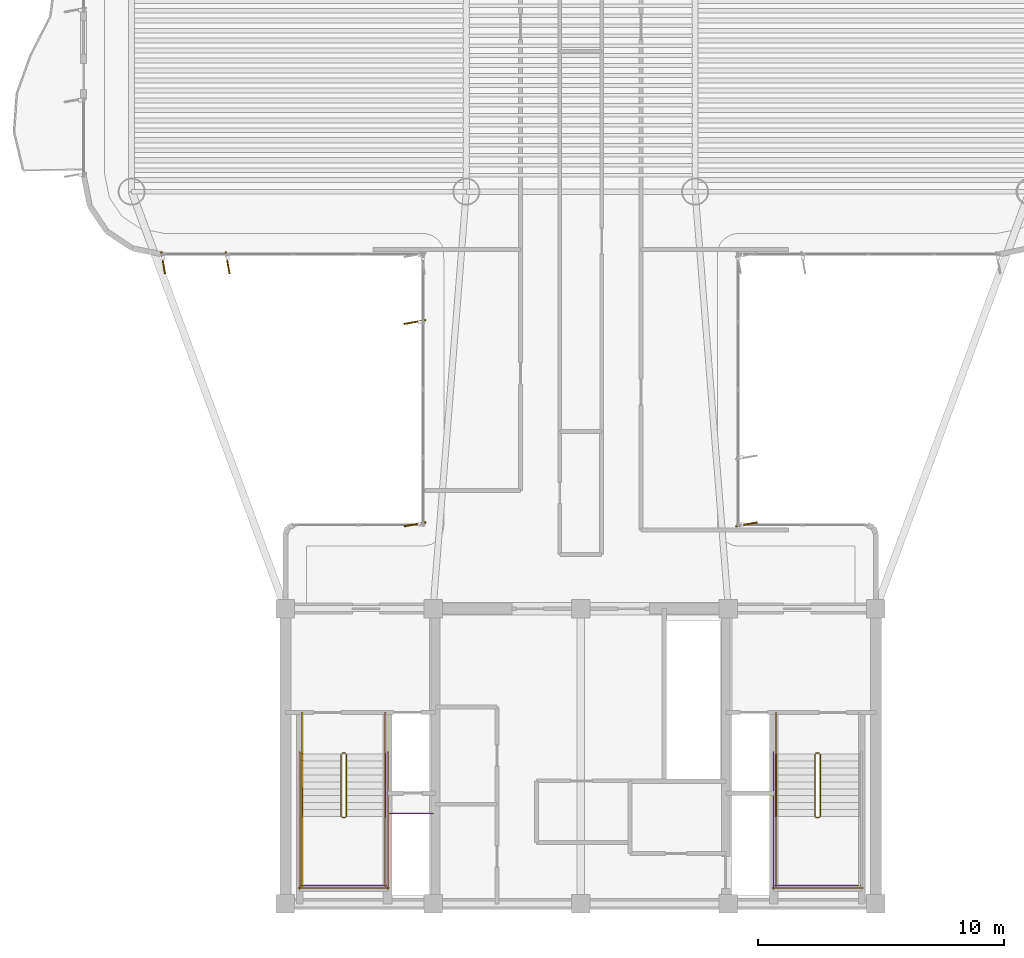
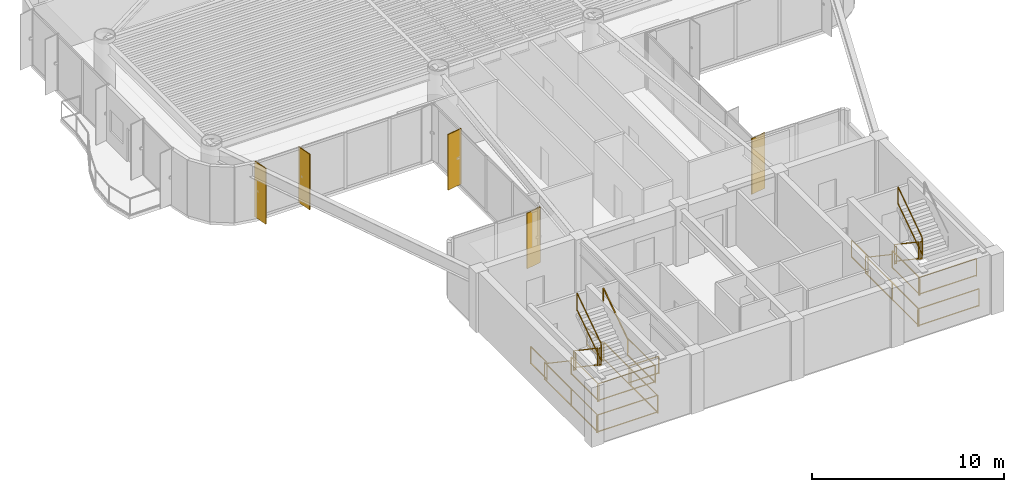
# One storey, part 12 of 13: 25 railings, 5 shading devices.
"""IFC4 building model written with IfcOpenShell, lengths in metres."""

from ifc_helpers import new_model, si_unit, direction, frame, origin, origin_2d, place, context, subcontext, project, spatial, rectangle, extrude, source, transform, mapped, material, layer, layer_set, material_profile, profile_set, type_object, element, save


model = new_model("IFC4")

# Units and contexts
model_context = context("Model", 3, precision=1e-05, world=origin(), true_north=direction((0.0, 1.0)))
body_context = subcontext(model_context, "Body", "Model", "MODEL_VIEW")
ifc_project = project(units=[si_unit("LENGTHUNIT", "METRE"), si_unit("AREAUNIT", "SQUARE_METRE"), si_unit("VOLUMEUNIT", "CUBIC_METRE"), si_unit("PLANEANGLEUNIT", "RADIAN"), si_unit("MASSUNIT", "GRAM", prefix="KILO")], contexts=[model_context])

# Site, building, storey
site_placement = place(None, origin())
site = spatial("IfcSite", under=ifc_project, at=site_placement, CompositionType="ELEMENT")
building_placement = place(site_placement, origin())
building = spatial("IfcBuilding", under=site, at=building_placement, Name="Brelvock Crest Care Tower", CompositionType="ELEMENT")
storey_placement = place(building_placement, frame((0.0, 0.0, 186.659912109375)))
storey = spatial("IfcBuildingStorey", under=building, at=storey_placement, Name="L47", CompositionType="ELEMENT", Elevation=186.659912109375)

# Railings
ifc_material_1 = material(Name="Steel Grade 350", Category="steel")
ifc_layer_1 = layer(ifc_material_1, 0.050048828125, Name="RL-STG1")
ifc_layer_set_1 = layer_set([ifc_layer_1], Name="Steel Grade 350")
railing_type_1 = type_object("IfcRailingType", Name="RL-STG1", PredefinedType="GUARDRAIL", material=ifc_layer_set_1)
railing_1_placement = place(storey_placement, frame((26.260009765625, 12.080078125, 0.189208984375)))
element("IfcRailing", 1, at=railing_1_placement, inside=storey, type_object=railing_type_1, Name="L47 ST-1 stair guard 1", PredefinedType="GUARDRAIL", context=body_context, shape_type="SweptSolid", body=[
    extrude(rectangle(XDim=0.048095703125, YDim=0.048095703125, at=origin_2d()), frame((0.0, -0.001708984375, 1.116943359375), z_axis=(0.0, -0.828861706735, 0.559453546873), x_axis=(1.0, 0.0, 0.0)), (0.0, 0.0, 1.0), 3.036376953125),
    extrude(rectangle(XDim=0.048095703125, YDim=0.048095703125, at=origin_2d()), frame((0.0, -0.001708984375, 0.05615234375), z_axis=(0.0, -0.828861706735, 0.559453546873), x_axis=(1.0, 0.0, 0.0)), (0.0, 0.0, 1.0), 3.036376953125),
    extrude(rectangle(XDim=0.0419921875, YDim=0.0419921875, at=origin_2d()), origin(), (0.0, 0.0, 1.0), 1.08984375),
    extrude(rectangle(XDim=0.0419921875, YDim=0.0419921875, at=origin_2d()), frame((0.0, -2.52001953125, 1.700927734375)), (0.0, 0.0, 1.0), 1.08984375),
])
railing_2_placement = place(storey_placement, frame((26.31005859375, 9.510009765625, 1.89013671875)))
element("IfcRailing", 2, at=railing_2_placement, inside=storey, type_object=railing_type_1, Name="L47 ST-1 stair guard 2", PredefinedType="GUARDRAIL", context=body_context, shape_type="SweptSolid", body=[
    extrude(rectangle(XDim=0.048095703125, YDim=0.048095703125, at=origin_2d()), frame((0.001953125, 0.0, 1.11572265625), z_axis=(1.0, 0.0, 0.0), x_axis=(0.0, 1.0, 0.0)), (0.0, 0.0, 1.0), 0.115966796875),
    extrude(rectangle(XDim=0.048095703125, YDim=0.048095703125, at=origin_2d()), frame((0.001953125, 0.0, 0.054931640625), z_axis=(1.0, 0.0, 0.0), x_axis=(0.0, 1.0, 0.0)), (0.0, 0.0, 1.0), 0.115966796875),
    extrude(rectangle(XDim=0.0419921875, YDim=0.0419921875, at=origin_2d()), origin(), (0.0, 0.0, 1.0), 1.08984375),
    extrude(rectangle(XDim=0.0419921875, YDim=0.0419921875, at=origin_2d()), frame((0.119873046875, 0.0, 0.0)), (0.0, 0.0, 1.0), 1.08984375),
])
for number, where, name in (
    (3, (24.679931640625, 9.56005859375, 1.89013671875), "L47 ST-1 stair guard 3"),
    (4, (28.06005859375, 9.56005859375, 1.89013671875), "L47 ST-1 stair guard 4"),
):
    element("IfcRailing", number, at=place(storey_placement, frame(where)), inside=storey, type_object=railing_type_1, Name=name, PredefinedType="GUARDRAIL", context=body_context, shape_type="SweptSolid", body=[
        extrude(rectangle(XDim=0.048095703125, YDim=0.048095703125, at=origin_2d()), frame((0.0, -0.001953125, 1.11572265625), z_axis=(0.0, -1.0, 0.0), x_axis=(1.0, 0.0, 0.0)), (0.0, 0.0, 1.0), 2.856201171875),
        extrude(rectangle(XDim=0.048095703125, YDim=0.048095703125, at=origin_2d()), frame((0.0, -0.001953125, 0.054931640625), z_axis=(0.0, -1.0, 0.0), x_axis=(1.0, 0.0, 0.0)), (0.0, 0.0, 1.0), 2.856201171875),
        extrude(rectangle(XDim=0.0419921875, YDim=0.0419921875, at=origin_2d()), origin(), (0.0, 0.0, 1.0), 1.08984375),
        extrude(rectangle(XDim=0.0419921875, YDim=0.0419921875, at=origin_2d()), frame((0.0, -2.860107421875, 0.0)), (0.0, 0.0, 1.0), 1.08984375),
    ])
railing_3_placement = place(storey_placement, frame((24.6298828125, 6.75, 1.89013671875)))
element("IfcRailing", 5, at=railing_3_placement, inside=storey, type_object=railing_type_1, Name="L47 ST-1 stair guard 5", PredefinedType="GUARDRAIL", context=body_context, shape_type="SweptSolid", body=[
    extrude(rectangle(XDim=0.048095703125, YDim=0.048095703125, at=origin_2d()), frame((0.001953125, 0.0, 1.11572265625), z_axis=(1.0, 0.0, 0.0), x_axis=(0.0, 1.0, 0.0)), (0.0, 0.0, 1.0), 3.476318359375),
    extrude(rectangle(XDim=0.048095703125, YDim=0.048095703125, at=origin_2d()), frame((0.001953125, 0.0, 0.054931640625), z_axis=(1.0, 0.0, 0.0), x_axis=(0.0, 1.0, 0.0)), (0.0, 0.0, 1.0), 3.476318359375),
    extrude(rectangle(XDim=0.0419921875, YDim=0.0419921875, at=origin_2d()), origin(), (0.0, 0.0, 1.0), 1.08984375),
    extrude(rectangle(XDim=0.0419921875, YDim=0.0419921875, at=origin_2d()), frame((3.480224609375, 0.0, 0.0)), (0.0, 0.0, 1.0), 1.08984375),
])
railing_4_placement = place(storey_placement, frame((26.47998046875, 9.56005859375, 2.0791015625)))
element("IfcRailing", 6, at=railing_4_placement, inside=storey, type_object=railing_type_1, Name="L47 ST-1 stair guard 6", PredefinedType="GUARDRAIL", context=body_context, shape_type="SweptSolid", body=[
    extrude(rectangle(XDim=0.048095703125, YDim=0.048095703125, at=origin_2d()), frame((0.0, 0.001708984375, 1.116943359375), z_axis=(0.0, 0.828861706735, 0.559453546873), x_axis=(-1.0, 0.0, 0.0)), (0.0, 0.0, 1.0), 3.036376953125),
    extrude(rectangle(XDim=0.048095703125, YDim=0.048095703125, at=origin_2d()), frame((0.0, 0.001708984375, 0.05615234375), z_axis=(0.0, 0.828861706735, 0.559453546873), x_axis=(-1.0, 0.0, 0.0)), (0.0, 0.0, 1.0), 3.036376953125),
    extrude(rectangle(XDim=0.0419921875, YDim=0.0419921875, at=origin_2d()), origin(), (0.0, 0.0, 1.0), 1.08984375),
    extrude(rectangle(XDim=0.0419921875, YDim=0.0419921875, at=origin_2d()), frame((0.0, 2.52001953125, 1.700927734375)), (0.0, 0.0, 1.0), 1.08984375),
])
railing_5_placement = place(storey_placement, frame((26.31005859375, 12.1298828125, 0.0)))
element("IfcRailing", 7, at=railing_5_placement, inside=storey, type_object=railing_type_1, Name="L47 ST-1 stair guard 7", PredefinedType="GUARDRAIL", context=body_context, shape_type="SweptSolid", body=[
    extrude(rectangle(XDim=0.048095703125, YDim=0.048095703125, at=origin_2d()), frame((0.001953125, 0.0, 1.11572265625), z_axis=(1.0, 0.0, 0.0), x_axis=(0.0, 1.0, 0.0)), (0.0, 0.0, 1.0), 0.115966796875),
    extrude(rectangle(XDim=0.048095703125, YDim=0.048095703125, at=origin_2d()), frame((0.001953125, 0.0, 0.054931640625), z_axis=(1.0, 0.0, 0.0), x_axis=(0.0, 1.0, 0.0)), (0.0, 0.0, 1.0), 0.115966796875),
    extrude(rectangle(XDim=0.0419921875, YDim=0.0419921875, at=origin_2d()), origin(), (0.0, 0.0, 1.0), 1.08984375),
    extrude(rectangle(XDim=0.0419921875, YDim=0.0419921875, at=origin_2d()), frame((0.119873046875, 0.0, 0.0)), (0.0, 0.0, 1.0), 1.08984375),
])
for number, where, name in (
    (8, (24.679931640625, 13.780029296875, 0.0), "L47 ST-1 stair guard 8"),
    (9, (28.06005859375, 13.780029296875, 0.0), "L47 ST-1 stair guard 9"),
):
    element("IfcRailing", number, at=place(storey_placement, frame(where)), inside=storey, type_object=railing_type_1, Name=name, PredefinedType="GUARDRAIL", context=body_context, shape_type="SweptSolid", body=[
        extrude(rectangle(XDim=0.048095703125, YDim=0.048095703125, at=origin_2d()), frame((0.0, -0.001953125, 1.11572265625), z_axis=(0.0, -1.0, 0.0), x_axis=(1.0, 0.0, 0.0)), (0.0, 0.0, 1.0), 1.696044921875),
        extrude(rectangle(XDim=0.048095703125, YDim=0.048095703125, at=origin_2d()), frame((0.0, -0.001953125, 0.054931640625), z_axis=(0.0, -1.0, 0.0), x_axis=(1.0, 0.0, 0.0)), (0.0, 0.0, 1.0), 1.696044921875),
        extrude(rectangle(XDim=0.0419921875, YDim=0.0419921875, at=origin_2d()), origin(), (0.0, 0.0, 1.0), 1.08984375),
        extrude(rectangle(XDim=0.0419921875, YDim=0.0419921875, at=origin_2d()), frame((0.0, -1.699951171875, 0.0)), (0.0, 0.0, 1.0), 1.08984375),
    ])
for number, where, name in (
    (10, (24.580078125, 12.179931640625, 0.0), "L47 ST-1 stair guard 10"),
    (11, (28.159912109375, 12.179931640625, 0.0), "L47 ST-1 stair guard 11"),
):
    element("IfcRailing", number, at=place(storey_placement, frame(where)), inside=storey, type_object=railing_type_1, Name=name, PredefinedType="GUARDRAIL", context=body_context, shape_type="SweptSolid", body=[
        extrude(rectangle(XDim=0.048095703125, YDim=0.048095703125, at=origin_2d()), frame((0.0, -0.001953125, 1.11572265625), z_axis=(0.0, -1.0, 0.0), x_axis=(1.0, 0.0, 0.0)), (0.0, 0.0, 1.0), 5.575927734375),
        extrude(rectangle(XDim=0.048095703125, YDim=0.048095703125, at=origin_2d()), frame((0.0, -0.001953125, 0.054931640625), z_axis=(0.0, -1.0, 0.0), x_axis=(1.0, 0.0, 0.0)), (0.0, 0.0, 1.0), 5.575927734375),
        extrude(rectangle(XDim=0.0419921875, YDim=0.0419921875, at=origin_2d()), origin(), (0.0, 0.0, 1.0), 1.08984375),
        extrude(rectangle(XDim=0.0419921875, YDim=0.0419921875, at=origin_2d()), frame((0.0, -2.7900390625, 0.0)), (0.0, 0.0, 1.0), 1.08984375),
        extrude(rectangle(XDim=0.0419921875, YDim=0.0419921875, at=origin_2d()), frame((0.0, -5.579833984375, 0.0)), (0.0, 0.0, 1.0), 1.08984375),
    ])
railing_6_placement = place(storey_placement, frame((24.530029296875, 6.64990234375, 0.0)))
element("IfcRailing", 12, at=railing_6_placement, inside=storey, type_object=railing_type_1, Name="L47 ST-1 stair guard 12", PredefinedType="GUARDRAIL", context=body_context, shape_type="SweptSolid", body=[
    extrude(rectangle(XDim=0.048095703125, YDim=0.048095703125, at=origin_2d()), frame((0.001953125, 0.0, 1.11572265625), z_axis=(1.0, 0.0, 0.0), x_axis=(0.0, 1.0, 0.0)), (0.0, 0.0, 1.0), 3.676025390625),
    extrude(rectangle(XDim=0.048095703125, YDim=0.048095703125, at=origin_2d()), frame((0.001953125, 0.0, 0.054931640625), z_axis=(1.0, 0.0, 0.0), x_axis=(0.0, 1.0, 0.0)), (0.0, 0.0, 1.0), 3.676025390625),
    extrude(rectangle(XDim=0.0419921875, YDim=0.0419921875, at=origin_2d()), origin(), (0.0, 0.0, 1.0), 1.08984375),
    extrude(rectangle(XDim=0.0419921875, YDim=0.0419921875, at=origin_2d()), frame((3.679931640625, 0.0, 0.0)), (0.0, 0.0, 1.0), 1.08984375),
])
railing_7_placement = place(storey_placement, frame((45.52001953125, 12.080078125, 0.189208984375)))
element("IfcRailing", 13, at=railing_7_placement, inside=storey, type_object=railing_type_1, Name="L47 ST-2 stair guard 1", PredefinedType="GUARDRAIL", context=body_context, shape_type="SweptSolid", body=[
    extrude(rectangle(XDim=0.048095703125, YDim=0.048095703125, at=origin_2d()), frame((0.0, -0.001708984375, 1.116943359375), z_axis=(0.0, -0.828861706735, 0.559453546873), x_axis=(1.0, 0.0, 0.0)), (0.0, 0.0, 1.0), 3.036376953125),
    extrude(rectangle(XDim=0.048095703125, YDim=0.048095703125, at=origin_2d()), frame((0.0, -0.001708984375, 0.05615234375), z_axis=(0.0, -0.828861706735, 0.559453546873), x_axis=(1.0, 0.0, 0.0)), (0.0, 0.0, 1.0), 3.036376953125),
    extrude(rectangle(XDim=0.0419921875, YDim=0.0419921875, at=origin_2d()), origin(), (0.0, 0.0, 1.0), 1.08984375),
    extrude(rectangle(XDim=0.0419921875, YDim=0.0419921875, at=origin_2d()), frame((0.0, -2.52001953125, 1.700927734375)), (0.0, 0.0, 1.0), 1.08984375),
])
railing_8_placement = place(storey_placement, frame((45.570068359375, 9.510009765625, 1.89013671875)))
element("IfcRailing", 14, at=railing_8_placement, inside=storey, type_object=railing_type_1, Name="L47 ST-2 stair guard 2", PredefinedType="GUARDRAIL", context=body_context, shape_type="SweptSolid", body=[
    extrude(rectangle(XDim=0.048095703125, YDim=0.048095703125, at=origin_2d()), frame((0.001953125, 0.0, 1.11572265625), z_axis=(1.0, 0.0, 0.0), x_axis=(0.0, 1.0, 0.0)), (0.0, 0.0, 1.0), 0.115966796875),
    extrude(rectangle(XDim=0.048095703125, YDim=0.048095703125, at=origin_2d()), frame((0.001953125, 0.0, 0.054931640625), z_axis=(1.0, 0.0, 0.0), x_axis=(0.0, 1.0, 0.0)), (0.0, 0.0, 1.0), 0.115966796875),
    extrude(rectangle(XDim=0.0419921875, YDim=0.0419921875, at=origin_2d()), origin(), (0.0, 0.0, 1.0), 1.08984375),
    extrude(rectangle(XDim=0.0419921875, YDim=0.0419921875, at=origin_2d()), frame((0.119873046875, 0.0, 0.0)), (0.0, 0.0, 1.0), 1.08984375),
])
railing_9_placement = place(storey_placement, frame((43.93994140625, 9.56005859375, 1.89013671875)))
element("IfcRailing", 15, at=railing_9_placement, inside=storey, type_object=railing_type_1, Name="L47 ST-2 stair guard 3", PredefinedType="GUARDRAIL", context=body_context, shape_type="SweptSolid", body=[
    extrude(rectangle(XDim=0.048095703125, YDim=0.048095703125, at=origin_2d()), frame((0.0, -0.001953125, 1.11572265625), z_axis=(0.0, -1.0, 0.0), x_axis=(1.0, 0.0, 0.0)), (0.0, 0.0, 1.0), 2.856201171875),
    extrude(rectangle(XDim=0.048095703125, YDim=0.048095703125, at=origin_2d()), frame((0.0, -0.001953125, 0.054931640625), z_axis=(0.0, -1.0, 0.0), x_axis=(1.0, 0.0, 0.0)), (0.0, 0.0, 1.0), 2.856201171875),
    extrude(rectangle(XDim=0.0419921875, YDim=0.0419921875, at=origin_2d()), origin(), (0.0, 0.0, 1.0), 1.08984375),
    extrude(rectangle(XDim=0.0419921875, YDim=0.0419921875, at=origin_2d()), frame((0.0, -2.860107421875, 0.0)), (0.0, 0.0, 1.0), 1.08984375),
])
railing_10_placement = place(storey_placement, frame((43.889892578125, 6.75, 1.89013671875)))
element("IfcRailing", 16, at=railing_10_placement, inside=storey, type_object=railing_type_1, Name="L47 ST-2 stair guard 5", PredefinedType="GUARDRAIL", context=body_context, shape_type="SweptSolid", body=[
    extrude(rectangle(XDim=0.048095703125, YDim=0.048095703125, at=origin_2d()), frame((0.001953125, 0.0, 1.11572265625), z_axis=(1.0, 0.0, 0.0), x_axis=(0.0, 1.0, 0.0)), (0.0, 0.0, 1.0), 3.476318359375),
    extrude(rectangle(XDim=0.048095703125, YDim=0.048095703125, at=origin_2d()), frame((0.001953125, 0.0, 0.054931640625), z_axis=(1.0, 0.0, 0.0), x_axis=(0.0, 1.0, 0.0)), (0.0, 0.0, 1.0), 3.476318359375),
    extrude(rectangle(XDim=0.0419921875, YDim=0.0419921875, at=origin_2d()), origin(), (0.0, 0.0, 1.0), 1.08984375),
    extrude(rectangle(XDim=0.0419921875, YDim=0.0419921875, at=origin_2d()), frame((3.480224609375, 0.0, 0.0)), (0.0, 0.0, 1.0), 1.08984375),
])
railing_11_placement = place(storey_placement, frame((45.739990234375, 9.56005859375, 2.0791015625)))
element("IfcRailing", 17, at=railing_11_placement, inside=storey, type_object=railing_type_1, Name="L47 ST-2 stair guard 6", PredefinedType="GUARDRAIL", context=body_context, shape_type="SweptSolid", body=[
    extrude(rectangle(XDim=0.048095703125, YDim=0.048095703125, at=origin_2d()), frame((0.0, 0.001708984375, 1.116943359375), z_axis=(0.0, 0.828861706735, 0.559453546873), x_axis=(-1.0, 0.0, 0.0)), (0.0, 0.0, 1.0), 3.036376953125),
    extrude(rectangle(XDim=0.048095703125, YDim=0.048095703125, at=origin_2d()), frame((0.0, 0.001708984375, 0.05615234375), z_axis=(0.0, 0.828861706735, 0.559453546873), x_axis=(-1.0, 0.0, 0.0)), (0.0, 0.0, 1.0), 3.036376953125),
    extrude(rectangle(XDim=0.0419921875, YDim=0.0419921875, at=origin_2d()), origin(), (0.0, 0.0, 1.0), 1.08984375),
    extrude(rectangle(XDim=0.0419921875, YDim=0.0419921875, at=origin_2d()), frame((0.0, 2.52001953125, 1.700927734375)), (0.0, 0.0, 1.0), 1.08984375),
])
railing_12_placement = place(storey_placement, frame((45.570068359375, 12.1298828125, 0.0)))
element("IfcRailing", 18, at=railing_12_placement, inside=storey, type_object=railing_type_1, Name="L47 ST-2 stair guard 7", PredefinedType="GUARDRAIL", context=body_context, shape_type="SweptSolid", body=[
    extrude(rectangle(XDim=0.048095703125, YDim=0.048095703125, at=origin_2d()), frame((0.001953125, 0.0, 1.11572265625), z_axis=(1.0, 0.0, 0.0), x_axis=(0.0, 1.0, 0.0)), (0.0, 0.0, 1.0), 0.115966796875),
    extrude(rectangle(XDim=0.048095703125, YDim=0.048095703125, at=origin_2d()), frame((0.001953125, 0.0, 0.054931640625), z_axis=(1.0, 0.0, 0.0), x_axis=(0.0, 1.0, 0.0)), (0.0, 0.0, 1.0), 0.115966796875),
    extrude(rectangle(XDim=0.0419921875, YDim=0.0419921875, at=origin_2d()), origin(), (0.0, 0.0, 1.0), 1.08984375),
    extrude(rectangle(XDim=0.0419921875, YDim=0.0419921875, at=origin_2d()), frame((0.119873046875, 0.0, 0.0)), (0.0, 0.0, 1.0), 1.08984375),
])
railing_13_placement = place(storey_placement, frame((43.93994140625, 13.780029296875, 0.0)))
element("IfcRailing", 19, at=railing_13_placement, inside=storey, type_object=railing_type_1, Name="L47 ST-2 stair guard 8", PredefinedType="GUARDRAIL", context=body_context, shape_type="SweptSolid", body=[
    extrude(rectangle(XDim=0.048095703125, YDim=0.048095703125, at=origin_2d()), frame((0.0, -0.001953125, 1.11572265625), z_axis=(0.0, -1.0, 0.0), x_axis=(1.0, 0.0, 0.0)), (0.0, 0.0, 1.0), 1.696044921875),
    extrude(rectangle(XDim=0.048095703125, YDim=0.048095703125, at=origin_2d()), frame((0.0, -0.001953125, 0.054931640625), z_axis=(0.0, -1.0, 0.0), x_axis=(1.0, 0.0, 0.0)), (0.0, 0.0, 1.0), 1.696044921875),
    extrude(rectangle(XDim=0.0419921875, YDim=0.0419921875, at=origin_2d()), origin(), (0.0, 0.0, 1.0), 1.08984375),
    extrude(rectangle(XDim=0.0419921875, YDim=0.0419921875, at=origin_2d()), frame((0.0, -1.699951171875, 0.0)), (0.0, 0.0, 1.0), 1.08984375),
])
railing_14_placement = place(storey_placement, frame((43.840087890625, 12.179931640625, 0.0)))
element("IfcRailing", 20, at=railing_14_placement, inside=storey, type_object=railing_type_1, Name="L47 ST-2 stair guard 10", PredefinedType="GUARDRAIL", context=body_context, shape_type="SweptSolid", body=[
    extrude(rectangle(XDim=0.048095703125, YDim=0.048095703125, at=origin_2d()), frame((0.0, -0.001953125, 1.11572265625), z_axis=(0.0, -1.0, 0.0), x_axis=(1.0, 0.0, 0.0)), (0.0, 0.0, 1.0), 5.575927734375),
    extrude(rectangle(XDim=0.048095703125, YDim=0.048095703125, at=origin_2d()), frame((0.0, -0.001953125, 0.054931640625), z_axis=(0.0, -1.0, 0.0), x_axis=(1.0, 0.0, 0.0)), (0.0, 0.0, 1.0), 5.575927734375),
    extrude(rectangle(XDim=0.0419921875, YDim=0.0419921875, at=origin_2d()), origin(), (0.0, 0.0, 1.0), 1.08984375),
    extrude(rectangle(XDim=0.0419921875, YDim=0.0419921875, at=origin_2d()), frame((0.0, -2.7900390625, 0.0)), (0.0, 0.0, 1.0), 1.08984375),
    extrude(rectangle(XDim=0.0419921875, YDim=0.0419921875, at=origin_2d()), frame((0.0, -5.579833984375, 0.0)), (0.0, 0.0, 1.0), 1.08984375),
])
railing_15_placement = place(storey_placement, frame((43.7900390625, 6.64990234375, 0.0)))
element("IfcRailing", 21, at=railing_15_placement, inside=storey, type_object=railing_type_1, Name="L47 ST-2 stair guard 12", PredefinedType="GUARDRAIL", context=body_context, shape_type="SweptSolid", body=[
    extrude(rectangle(XDim=0.048095703125, YDim=0.048095703125, at=origin_2d()), frame((0.001953125, 0.0, 1.11572265625), z_axis=(1.0, 0.0, 0.0), x_axis=(0.0, 1.0, 0.0)), (0.0, 0.0, 1.0), 3.676025390625),
    extrude(rectangle(XDim=0.048095703125, YDim=0.048095703125, at=origin_2d()), frame((0.001953125, 0.0, 0.054931640625), z_axis=(1.0, 0.0, 0.0), x_axis=(0.0, 1.0, 0.0)), (0.0, 0.0, 1.0), 3.676025390625),
    extrude(rectangle(XDim=0.0419921875, YDim=0.0419921875, at=origin_2d()), origin(), (0.0, 0.0, 1.0), 1.08984375),
    extrude(rectangle(XDim=0.0419921875, YDim=0.0419921875, at=origin_2d()), frame((3.679931640625, 0.0, 0.0)), (0.0, 0.0, 1.0), 1.08984375),
])
railing_16_placement = place(storey_placement, frame((28.219970703125, 9.679931640625, 0.0)))
element("IfcRailing", 22, at=railing_16_placement, inside=storey, type_object=railing_type_1, Name="L47 Fire Riser Threshold Guard", PredefinedType="GUARDRAIL", context=body_context, shape_type="SweptSolid", body=[
    extrude(rectangle(XDim=0.048095703125, YDim=0.048095703125, at=origin_2d()), frame((0.001953125, 0.0, 1.11572265625), z_axis=(1.0, 0.0, 0.0), x_axis=(0.0, 1.0, 0.0)), (0.0, 0.0, 1.0), 1.776123046875),
    extrude(rectangle(XDim=0.048095703125, YDim=0.048095703125, at=origin_2d()), frame((0.001953125, 0.0, 0.054931640625), z_axis=(1.0, 0.0, 0.0), x_axis=(0.0, 1.0, 0.0)), (0.0, 0.0, 1.0), 1.776123046875),
    extrude(rectangle(XDim=0.0419921875, YDim=0.0419921875, at=origin_2d()), origin(), (0.0, 0.0, 1.0), 1.08984375),
    extrude(rectangle(XDim=0.0419921875, YDim=0.0419921875, at=origin_2d()), frame((1.780029296875, 0.0, 0.0)), (0.0, 0.0, 1.0), 1.08984375),
])
ifc_layer_2 = layer(ifc_material_1, 0.048095703125, Name="RL-STH1")
ifc_layer_set_2 = layer_set([ifc_layer_2], Name="Steel Grade 350")
railing_type_2 = type_object("IfcRailingType", Name="RL-STH1", PredefinedType="HANDRAIL", material=ifc_layer_set_2)
railing_17_placement = place(storey_placement, frame((24.679931640625, 12.080078125, 0.189208984375)))
element("IfcRailing", 23, at=railing_17_placement, inside=storey, type_object=railing_type_2, Name="L47 ST-1 stair handrail 1", PredefinedType="HANDRAIL", context=body_context, shape_type="SweptSolid", body=[
    extrude(rectangle(XDim=0.048095703125, YDim=0.048095703125, at=origin_2d()), frame((0.0, -0.001708984375, 0.876953125), z_axis=(0.0, -0.828861706735, 0.559453546873), x_axis=(1.0, 0.0, 0.0)), (0.0, 0.0, 1.0), 3.036376953125),
    extrude(rectangle(XDim=0.0419921875, YDim=0.0419921875, at=origin_2d()), origin(), (0.0, 0.0, 1.0), 0.849853515625),
    extrude(rectangle(XDim=0.0419921875, YDim=0.0419921875, at=origin_2d()), frame((0.0, -2.52001953125, 1.700927734375)), (0.0, 0.0, 1.0), 0.849853515625),
])
railing_18_placement = place(storey_placement, frame((28.06005859375, 9.56005859375, 2.0791015625)))
element("IfcRailing", 24, at=railing_18_placement, inside=storey, type_object=railing_type_2, Name="L47 ST-1 stair handrail 2", PredefinedType="HANDRAIL", context=body_context, shape_type="SweptSolid", body=[
    extrude(rectangle(XDim=0.048095703125, YDim=0.048095703125, at=origin_2d()), frame((0.0, 0.001708984375, 0.876953125), z_axis=(0.0, 0.828861706735, 0.559453546873), x_axis=(-1.0, 0.0, 0.0)), (0.0, 0.0, 1.0), 3.036376953125),
    extrude(rectangle(XDim=0.0419921875, YDim=0.0419921875, at=origin_2d()), origin(), (0.0, 0.0, 1.0), 0.849853515625),
    extrude(rectangle(XDim=0.0419921875, YDim=0.0419921875, at=origin_2d()), frame((0.0, 2.52001953125, 1.700927734375)), (0.0, 0.0, 1.0), 0.849853515625),
])
railing_19_placement = place(storey_placement, frame((43.93994140625, 12.080078125, 0.189208984375)))
element("IfcRailing", 25, at=railing_19_placement, inside=storey, type_object=railing_type_2, Name="L47 ST-2 stair handrail 1", PredefinedType="HANDRAIL", context=body_context, shape_type="SweptSolid", body=[
    extrude(rectangle(XDim=0.048095703125, YDim=0.048095703125, at=origin_2d()), frame((0.0, -0.001708984375, 0.876953125), z_axis=(0.0, -0.828861706735, 0.559453546873), x_axis=(1.0, 0.0, 0.0)), (0.0, 0.0, 1.0), 3.036376953125),
    extrude(rectangle(XDim=0.0419921875, YDim=0.0419921875, at=origin_2d()), origin(), (0.0, 0.0, 1.0), 0.849853515625),
    extrude(rectangle(XDim=0.0419921875, YDim=0.0419921875, at=origin_2d()), frame((0.0, -2.52001953125, 1.700927734375)), (0.0, 0.0, 1.0), 0.849853515625),
])

# Shading devices
ifc_material_2 = material(Name="Aluminium 6063-T6", Category="aluminium")
ifc_material_profile = material_profile(ifc_material_2, rectangle(XDim=0.054931640625, YDim=0.89990234375, at=origin_2d()), Name="FIN55x900")
ifc_profile_set = profile_set([ifc_material_profile], Name="Aluminium 6063-T6")
shading_device_type = type_object("IfcShadingDeviceType", Name="SHD-FIN1", PredefinedType="USERDEFINED", material=ifc_profile_set)
shared_shape = source(origin(), body_context, "Body", "SweptSolid", [
    extrude(rectangle(XDim=0.054931640625, YDim=0.89990234375, at=origin_2d()), origin(), (0.0, 0.0, 1.0), 3.530029296875),
])
for number, where, z_axis, x_axis, name in (
    (26, (29.260009765625, 21.429931640625, 0.0), (0.0, 0.0, 1.0), (-0.173648177667, 0.984807753012, 0.0), "L47 Vertical Sunshade Fin E11-01"),
    (27, (29.260009765625, 29.64990234375, 0.0), (0.0, 0.0, 1.0), (-0.173648177667, 0.984807753012, 0.0), "L47 Vertical Sunshade Fin E11-04"),
    (28, (21.64990234375, 32.06005859375, 0.0), (0.0, 0.0, 1.0), (-0.984807753012, -0.173648177667, 0.0), "L47 Vertical Sunshade Fin E12-04"),
    (29, (19.030029296875, 32.06005859375, 0.0), (0.0, 0.0, 1.0), (-0.984807753012, -0.173648177667, 0.0), "L47 Vertical Sunshade Fin E12-05"),
    (30, (42.739990234375, 21.429931640625, 0.0), (0.0, 0.0, 1.0), (0.173648177667, -0.984807753012, 0.0), "L47 Vertical Sunshade Fin E45-05"),
):
    element("IfcShadingDevice", number, at=place(storey_placement, frame(where, z_axis=z_axis, x_axis=x_axis)), inside=storey, type_object=shading_device_type, Name=name, ObjectType="FIN", PredefinedType="USERDEFINED", context=body_context, shape_type="MappedRepresentation", body=[
        mapped(shared_shape, transform((0.0, 0.0, 0.0), x_axis=(1.0, 0.0, 0.0), y_axis=(0.0, 1.0, 0.0), z_axis=(0.0, 0.0, 1.0), scale=1.0)),
    ])

save(model, "model.ifc")
